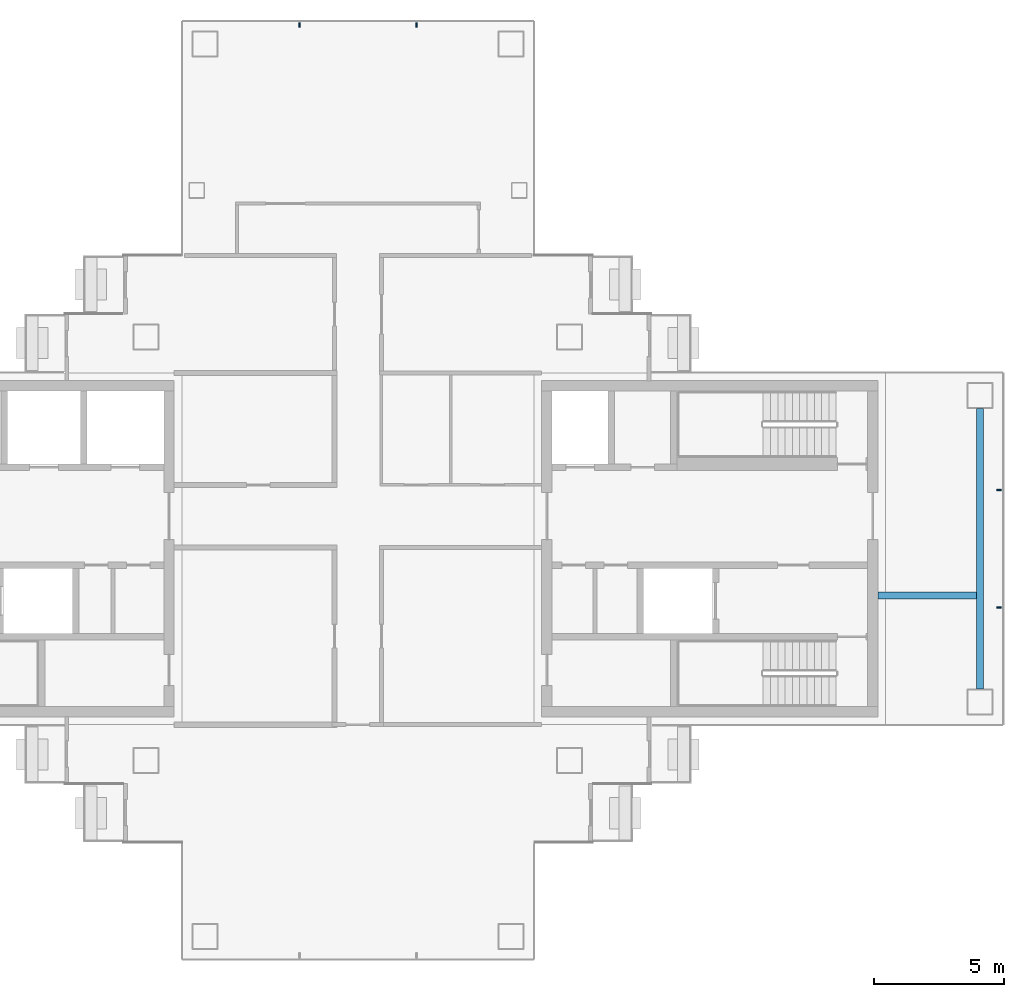
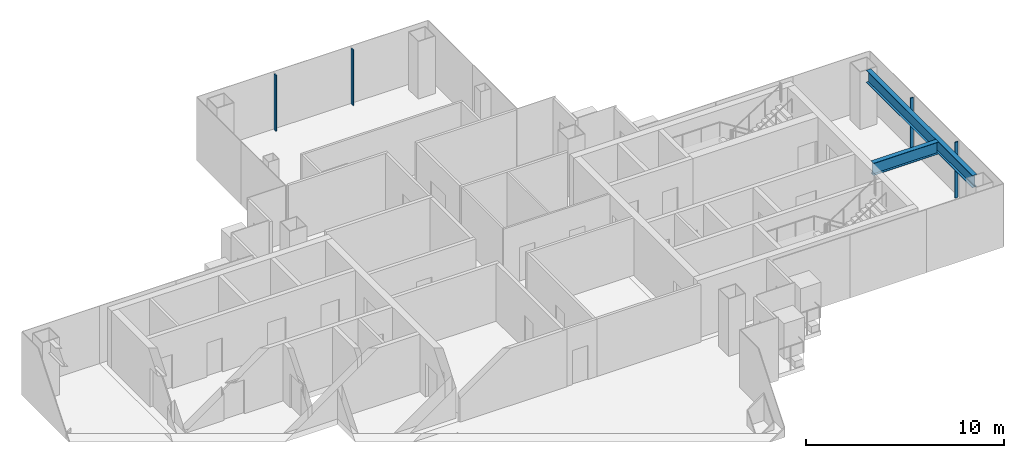
# One storey, part 6 of 17: 4 members, 2 beams, 2 elements without a shape of their own.
"""IFC4 building model written with IfcOpenShell, lengths in metres."""

from ifc_helpers import new_model, si_unit, direction, frame, origin, origin_2d, place, context, subcontext, project, spatial, rectangle, i_section, extrude, material, layer, layer_set, material_profile, profile_set, type_object, element, aggregate, save


model = new_model("IFC4")

# Units and contexts
model_context = context("Model", 3, precision=1e-05, world=origin(), true_north=direction((0.0, 1.0)))
body_context = subcontext(model_context, "Body", "Model", "MODEL_VIEW")
ifc_project = project(units=[si_unit("LENGTHUNIT", "METRE"), si_unit("AREAUNIT", "SQUARE_METRE"), si_unit("VOLUMEUNIT", "CUBIC_METRE"), si_unit("PLANEANGLEUNIT", "RADIAN"), si_unit("MASSUNIT", "GRAM", prefix="KILO")], contexts=[model_context])

# Site, building, storey
site_placement = place(None, origin())
site = spatial("IfcSite", under=ifc_project, at=site_placement, CompositionType="ELEMENT")
building_placement = place(site_placement, origin())
building = spatial("IfcBuilding", under=site, at=building_placement, Name="Shamsa Quay Exchange Towers", CompositionType="ELEMENT")
storey_placement = place(building_placement, frame((0.0, 0.0, 194.39990234375)))
storey = spatial("IfcBuildingStorey", under=building, at=storey_placement, Name="L46", CompositionType="ELEMENT", Elevation=194.39990234375)

# Curtain wall, members
ifc_material_1 = material(Name="Aluminium EN AW-6063 T6, black anodised", Category="aluminium")
ifc_layer = layer(ifc_material_1, 0.280029296875)
ifc_layer_set = layer_set([ifc_layer], Name="CW-1 UNITISED VISION GLASS")
curtain_wall_type = type_object("IfcCurtainWallType", Name="CW-1 UNITISED VISION GLASS", PredefinedType="NOTDEFINED", material=ifc_layer_set)
curtain_wall_1_placement = place(storey_placement, origin())
curtain_wall_1 = element("IfcCurtainWall", 1, at=curtain_wall_1_placement, inside=storey, type_object=curtain_wall_type, Name="CW1 T2-END-V- L46", PredefinedType="NOTDEFINED")
ifc_material_profile_1 = material_profile(ifc_material_1, rectangle(XDim=0.179931640625, YDim=0.06005859375, at=origin_2d()), Name="MU60x180")
ifc_profile_set_1 = profile_set([ifc_material_profile_1], Name="Aluminium EN AW-6063 T6, black anodised")
member_type = type_object("IfcMemberType", Name="CW1 MULLION 60x180", PredefinedType="MULLION", material=ifc_profile_set_1)
member_1_placement = place(storey_placement, frame((58.35009765625, -2.25, 0.0), z_axis=(0.0, 0.0, 1.0), x_axis=(-1.0, 0.0, 0.0)))
member_1 = element("IfcMember", 2, at=member_1_placement, type_object=member_type, Name="CW1 mullion", PredefinedType="MULLION", context=body_context, shape_type="SweptSolid", body=[
    extrude(rectangle(XDim=0.179931640625, YDim=0.06005859375, at=origin_2d()), origin(), (0.0, 0.0, 1.0), 3.4501953125),
])
member_2_placement = place(storey_placement, frame((58.35009765625, 2.25, 0.0), z_axis=(0.0, 0.0, 1.0), x_axis=(-1.0, 0.0, 0.0)))
member_2 = element("IfcMember", 3, at=member_2_placement, type_object=member_type, Name="CW1 mullion", PredefinedType="MULLION", context=body_context, shape_type="SweptSolid", body=[
    extrude(rectangle(XDim=0.179931640625, YDim=0.06005859375, at=origin_2d()), origin(), (0.0, 0.0, 1.0), 3.4501953125),
])
aggregate(curtain_wall_1, [member_1, member_2])

curtain_wall_2_placement = place(storey_placement, origin())
curtain_wall_2 = element("IfcCurtainWall", 4, at=curtain_wall_2_placement, inside=storey, type_object=curtain_wall_type, Name="CW1 T2-END-U+ L46", PredefinedType="NOTDEFINED")
member_3_placement = place(storey_placement, frame((36.0, 20.10009765625, 0.0), z_axis=(0.0, 0.0, 1.0), x_axis=(0.0, -1.0, 0.0)))
member_3 = element("IfcMember", 5, at=member_3_placement, type_object=member_type, Name="CW1 mullion", PredefinedType="MULLION", context=body_context, shape_type="SweptSolid", body=[
    extrude(rectangle(XDim=0.179931640625, YDim=0.06005859375, at=origin_2d()), origin(), (0.0, 0.0, 1.0), 3.4501953125),
])
member_4_placement = place(storey_placement, frame((31.5, 20.10009765625, 0.0), z_axis=(0.0, 0.0, 1.0), x_axis=(0.0, -1.0, 0.0)))
member_4 = element("IfcMember", 6, at=member_4_placement, type_object=member_type, Name="CW1 mullion", PredefinedType="MULLION", context=body_context, shape_type="SweptSolid", body=[
    extrude(rectangle(XDim=0.179931640625, YDim=0.06005859375, at=origin_2d()), origin(), (0.0, 0.0, 1.0), 3.4501953125),
])
aggregate(curtain_wall_2, [member_3, member_4])

# Beams
ifc_material_2 = material(Name="Steel S355", Category="steel")
ifc_material_profile_2 = material_profile(ifc_material_2, i_section(OverallWidth=0.26611328125, OverallDepth=0.7578125, WebThickness=0.013916015625, FlangeThickness=0.019287109375, at=origin_2d()), Name="W30x108")
ifc_profile_set_2 = profile_set([ifc_material_profile_2], Name="Steel S355")
beam_type = type_object("IfcBeamType", Name="End-zone beam W30x108", PredefinedType="BEAM", material=ifc_profile_set_2)
beam_1_placement = place(storey_placement, frame((57.625, -5.375, 3.171142578125), z_axis=(0.0, 1.0, 0.0), x_axis=(-1.0, 0.0, 0.0)))
element("IfcBeam", 7, at=beam_1_placement, inside=storey, type_object=beam_type, Name="End beam T2 V- end zone L46", PredefinedType="BEAM", context=body_context, shape_type="SweptSolid", body=[
    extrude(i_section(OverallWidth=0.26611328125, OverallDepth=0.7578125, WebThickness=0.013916015625, FlangeThickness=0.019287109375, at=origin_2d()), origin(), (0.0, 0.0, 1.0), 10.75),
])
beam_2_placement = place(storey_placement, frame((53.699951171875, -1.800048828125, 3.171142578125), z_axis=(1.0, 0.0, 0.0), x_axis=(0.0, 1.0, 0.0)))
element("IfcBeam", 8, at=beam_2_placement, inside=storey, type_object=beam_type, Name="Spine beam T2 V- end zone L46", PredefinedType="BEAM", context=body_context, shape_type="SweptSolid", body=[
    extrude(i_section(OverallWidth=0.26611328125, OverallDepth=0.7578125, WebThickness=0.013916015625, FlangeThickness=0.019287109375, at=origin_2d()), origin(), (0.0, 0.0, 1.0), 3.7919921875),
])

save(model, "model.ifc")
